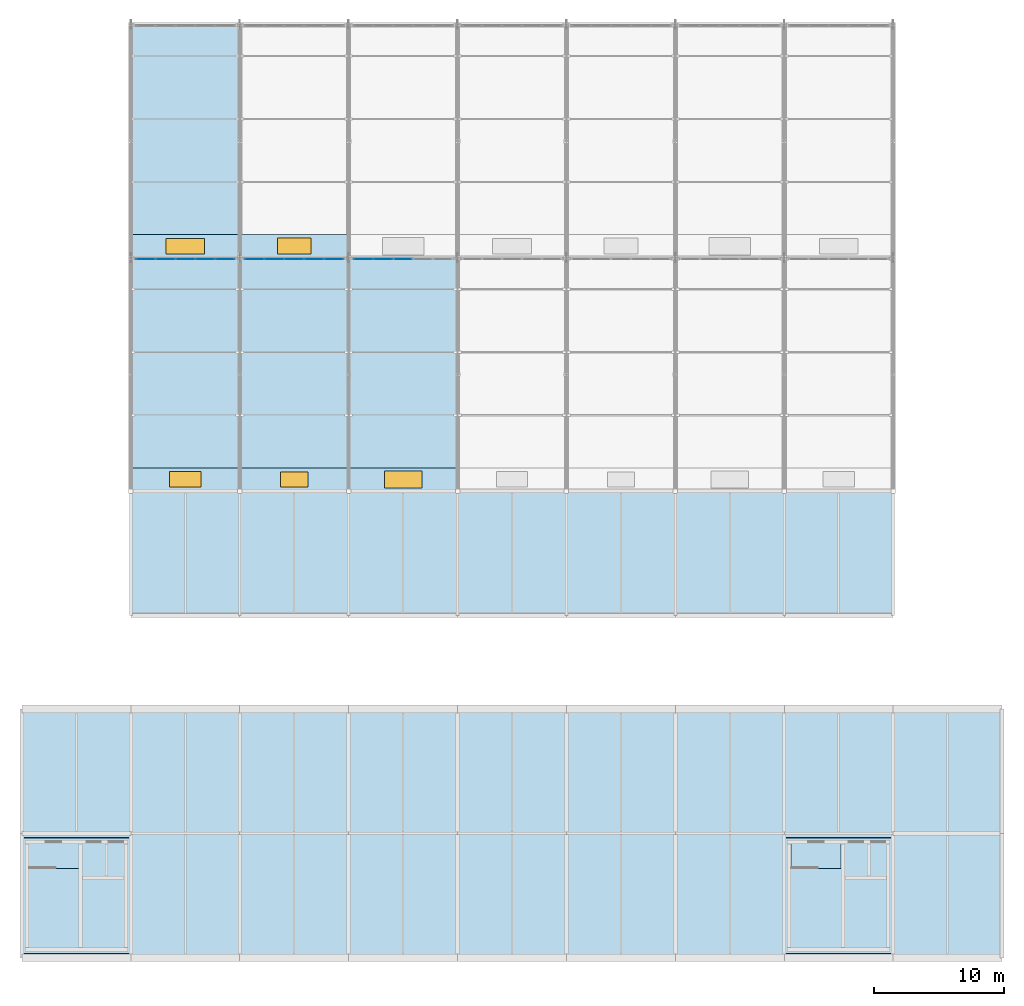
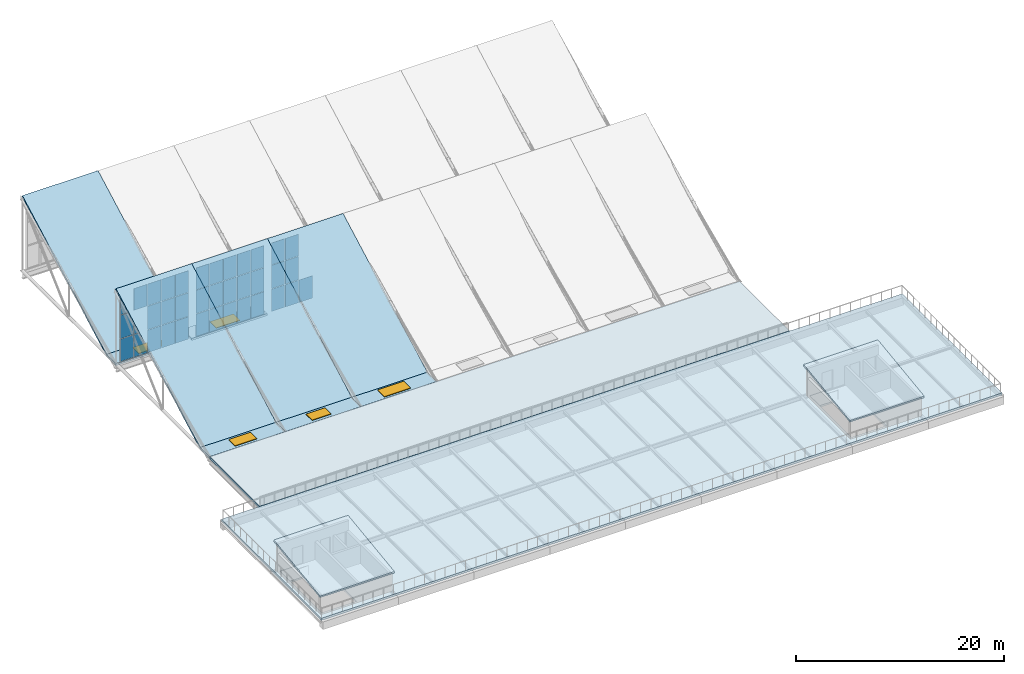
# One storey, part 29 of 38: 37 plates, 15 slabs, 5 windows, 5 openings, 3 elements without a shape of their own.
"""IFC4 building model written with IfcOpenShell, lengths in metres."""

from ifc_helpers import new_model, si_unit, direction, frame, origin, origin_2d, place, context, subcontext, project, spatial, polyline, rectangle, outline, extrude, material, layer, layer_set, type_object, element, fill, aggregate, save


model = new_model("IFC4")

# Units and contexts
model_context = context("Model", 3, precision=1e-05, world=origin(), true_north=direction((0.0, 1.0)))
body_context = subcontext(model_context, "Body", "Model", "MODEL_VIEW")
ifc_project = project(units=[si_unit("LENGTHUNIT", "METRE"), si_unit("AREAUNIT", "SQUARE_METRE"), si_unit("VOLUMEUNIT", "CUBIC_METRE"), si_unit("PLANEANGLEUNIT", "RADIAN"), si_unit("MASSUNIT", "GRAM", prefix="KILO")], contexts=[model_context])

# Site, building, storey
site_placement = place(None, origin())
site = spatial("IfcSite", under=ifc_project, at=site_placement, CompositionType="ELEMENT")
building_placement = place(site_placement, origin())
building = spatial("IfcBuilding", under=site, at=building_placement, Name="Veltarok Museum of Natural Sciences", CompositionType="ELEMENT")
storey_placement = place(building_placement, frame((0.0, 0.0, 31.199951171875)))
storey = spatial("IfcBuildingStorey", under=building, at=storey_placement, Name="RF", CompositionType="ELEMENT", Elevation=31.199951171875)

# Slab
ifc_material_1 = material(Name="Concrete C35/45", Category="concrete")
ifc_layer_1 = layer(ifc_material_1, 0.239990234375)
ifc_layer_set_1 = layer_set([ifc_layer_1], Name="Concrete C35/45")
slab_type_1 = type_object("IfcSlabType", Name="Insulated Flat Wing Roof Slab 240", PredefinedType="ROOF", material=ifc_layer_set_1)
slab_1_placement = place(storey_placement, frame((0.0, 0.0, -6.0400390625)))
element("IfcSlab", 1, at=slab_1_placement, inside=storey, type_object=slab_type_1, Name="Flat Wing Roof Slab RF-V2D", PredefinedType="ROOF", context=body_context, shape_type="SweptSolid", body=[
    extrude(outline(polyline([(40.0, 26.39990234375), (40.0, 35.97998046875), (98.800048828125, 35.97998046875), (98.800048828125, 26.39990234375), (40.0, 26.39990234375)])), origin(), (0.0, 0.0, 1.0), 0.239990234375),
])

# Slab, opening, window
slab_2_placement = place(storey_placement, frame((0.0, 0.0, -6.0400390625)))
slab_2 = element("IfcSlab", 2, at=slab_2_placement, inside=storey, type_object=slab_type_1, Name="Sawtooth Valley Apron Slab 5-6 M1", PredefinedType="ROOF", context=body_context, shape_type="SweptSolid", body=[
    extrude(outline(polyline([(40.0, 36.0), (48.39990234375, 36.0), (48.39990234375, 37.800048828125), (40.0, 37.800048828125), (40.0, 36.0)])), origin(), (0.0, 0.0, 1.0), 0.239990234375),
])
opening_1_placement = place(slab_2_placement, frame((44.199951171875, 36.89990234375, -0.010009765625)))
opening_1 = element("IfcOpeningElement", 3, at=opening_1_placement, cuts=slab_2, Name="Opening SK-01", PredefinedType="OPENING", context=body_context, shape_type="SweptSolid", body=[
    extrude(rectangle(XDim=2.39990234375, YDim=1.199951171875, at=origin_2d()), origin(), (0.0, 0.0, 1.0), 0.320068359375),
])
ifc_material_2 = material(Name="Low-iron triple insulated glass", Category="glass")
window_type_1 = type_object("IfcWindowType", Name="Sawtooth Valley North Rooflight 2400x1200", PartitioningType="SINGLE_PANEL", PredefinedType="SKYLIGHT", material=ifc_material_2)
window_1_placement = place(slab_2_placement, frame((44.199951171875, 36.89990234375, 0.239990234375)))
window_1 = element("IfcWindow", 4, at=window_1_placement, inside=storey, type_object=window_type_1, Name="Sawtooth North Rooflight SK-01", OverallHeight=1.199951171875, OverallWidth=2.39990234375, PartitioningType="SINGLE_PANEL", PredefinedType="SKYLIGHT", context=body_context, shape_type="SweptSolid", body=[
    extrude(rectangle(XDim=2.39990234375, YDim=1.199951171875, at=origin_2d()), origin(), (0.0, 0.0, 1.0), 0.06005859375),
])
fill(opening_1, window_1)

slab_3_placement = place(storey_placement, frame((0.0, 0.0, -6.0400390625)))
slab_3 = element("IfcSlab", 5, at=slab_3_placement, inside=storey, type_object=slab_type_1, Name="Sawtooth Valley Apron Slab 5-6 M2", PredefinedType="ROOF", context=body_context, shape_type="SweptSolid", body=[
    extrude(outline(polyline([(40.0, 54.0), (48.39990234375, 54.0), (48.39990234375, 55.800048828125), (40.0, 55.800048828125), (40.0, 54.0)])), origin(), (0.0, 0.0, 1.0), 0.239990234375),
])
opening_2_placement = place(slab_3_placement, frame((44.199951171875, 54.89990234375, -0.010009765625)))
opening_2 = element("IfcOpeningElement", 6, at=opening_2_placement, cuts=slab_3, Name="Opening SK-02", PredefinedType="OPENING", context=body_context, shape_type="SweptSolid", body=[
    extrude(rectangle(XDim=3.0, YDim=1.199951171875, at=origin_2d()), origin(), (0.0, 0.0, 1.0), 0.320068359375),
])
window_type_2 = type_object("IfcWindowType", Name="Sawtooth Atrium North Rooflight 3000x1200", PartitioningType="SINGLE_PANEL", PredefinedType="SKYLIGHT", material=ifc_material_2)
window_2_placement = place(slab_3_placement, frame((44.199951171875, 54.89990234375, 0.239990234375)))
window_2 = element("IfcWindow", 7, at=window_2_placement, inside=storey, type_object=window_type_2, Name="Sawtooth North Rooflight SK-02", OverallHeight=1.199951171875, OverallWidth=3.0, PartitioningType="SINGLE_PANEL", PredefinedType="SKYLIGHT", context=body_context, shape_type="SweptSolid", body=[
    extrude(rectangle(XDim=3.0, YDim=1.199951171875, at=origin_2d()), origin(), (0.0, 0.0, 1.0), 0.06005859375),
])
fill(opening_2, window_2)

slab_4_placement = place(storey_placement, frame((0.0, 0.0, -6.0400390625)))
slab_4 = element("IfcSlab", 8, at=slab_4_placement, inside=storey, type_object=slab_type_1, Name="Sawtooth Valley Apron Slab 6-7 M1", PredefinedType="ROOF", context=body_context, shape_type="SweptSolid", body=[
    extrude(outline(polyline([(48.39990234375, 36.0), (56.800048828125, 36.0), (56.800048828125, 37.800048828125), (48.39990234375, 37.800048828125), (48.39990234375, 36.0)])), origin(), (0.0, 0.0, 1.0), 0.239990234375),
])
opening_3_placement = place(slab_4_placement, frame((52.60009765625, 36.89990234375, -0.010009765625)))
opening_3 = element("IfcOpeningElement", 9, at=opening_3_placement, cuts=slab_4, Name="Opening SK-03", PredefinedType="OPENING", context=body_context, shape_type="SweptSolid", body=[
    extrude(rectangle(XDim=2.10009765625, YDim=1.14990234375, at=origin_2d()), origin(), (0.0, 0.0, 1.0), 0.320068359375),
])
window_type_3 = type_object("IfcWindowType", Name="Sawtooth Gallery Rooflight 2100x1150", PartitioningType="SINGLE_PANEL", PredefinedType="SKYLIGHT", material=ifc_material_2)
window_3_placement = place(slab_4_placement, frame((52.60009765625, 36.89990234375, 0.239990234375)))
window_3 = element("IfcWindow", 10, at=window_3_placement, inside=storey, type_object=window_type_3, Name="Sawtooth North Rooflight SK-03", OverallHeight=1.14990234375, OverallWidth=2.10009765625, PartitioningType="SINGLE_PANEL", PredefinedType="SKYLIGHT", context=body_context, shape_type="SweptSolid", body=[
    extrude(rectangle(XDim=2.10009765625, YDim=1.14990234375, at=origin_2d()), origin(), (0.0, 0.0, 1.0), 0.06005859375),
])
fill(opening_3, window_3)

slab_5_placement = place(storey_placement, frame((0.0, 0.0, -6.0400390625)))
slab_5 = element("IfcSlab", 11, at=slab_5_placement, inside=storey, type_object=slab_type_1, Name="Sawtooth Valley Apron Slab 6-7 M2", PredefinedType="ROOF", context=body_context, shape_type="SweptSolid", body=[
    extrude(outline(polyline([(48.39990234375, 54.0), (56.800048828125, 54.0), (56.800048828125, 55.800048828125), (48.39990234375, 55.800048828125), (48.39990234375, 54.0)])), origin(), (0.0, 0.0, 1.0), 0.239990234375),
])
opening_4_placement = place(slab_5_placement, frame((52.60009765625, 54.89990234375, -0.010009765625)))
opening_4 = element("IfcOpeningElement", 12, at=opening_4_placement, cuts=slab_5, Name="Opening SK-04", PredefinedType="OPENING", context=body_context, shape_type="SweptSolid", body=[
    extrude(rectangle(XDim=2.60009765625, YDim=1.25, at=origin_2d()), origin(), (0.0, 0.0, 1.0), 0.320068359375),
])
window_type_4 = type_object("IfcWindowType", Name="Sawtooth Gallery Rooflight 2600x1250", PartitioningType="SINGLE_PANEL", PredefinedType="SKYLIGHT", material=ifc_material_2)
window_4_placement = place(slab_5_placement, frame((52.60009765625, 54.89990234375, 0.239990234375)))
window_4 = element("IfcWindow", 13, at=window_4_placement, inside=storey, type_object=window_type_4, Name="Sawtooth North Rooflight SK-04", OverallHeight=1.25, OverallWidth=2.60009765625, PartitioningType="SINGLE_PANEL", PredefinedType="SKYLIGHT", context=body_context, shape_type="SweptSolid", body=[
    extrude(rectangle(XDim=2.60009765625, YDim=1.25, at=origin_2d()), origin(), (0.0, 0.0, 1.0), 0.06005859375),
])
fill(opening_4, window_4)

slab_6_placement = place(storey_placement, frame((0.0, 0.0, -6.0400390625)))
slab_6 = element("IfcSlab", 14, at=slab_6_placement, inside=storey, type_object=slab_type_1, Name="Sawtooth Valley Apron Slab 7-8 M1", PredefinedType="ROOF", context=body_context, shape_type="SweptSolid", body=[
    extrude(outline(polyline([(56.800048828125, 36.0), (65.199951171875, 36.0), (65.199951171875, 37.800048828125), (56.800048828125, 37.800048828125), (56.800048828125, 36.0)])), origin(), (0.0, 0.0, 1.0), 0.239990234375),
])
opening_5_placement = place(slab_6_placement, frame((61.0, 36.89990234375, -0.010009765625)))
opening_5 = element("IfcOpeningElement", 15, at=opening_5_placement, cuts=slab_6, Name="Opening SK-05", PredefinedType="OPENING", context=body_context, shape_type="SweptSolid", body=[
    extrude(rectangle(XDim=2.89990234375, YDim=1.300048828125, at=origin_2d()), origin(), (0.0, 0.0, 1.0), 0.320068359375),
])
window_type_5 = type_object("IfcWindowType", Name="Sawtooth Gallery Rooflight 2900x1300", PartitioningType="SINGLE_PANEL", PredefinedType="SKYLIGHT", material=ifc_material_2)
window_5_placement = place(slab_6_placement, frame((61.0, 36.89990234375, 0.239990234375)))
window_5 = element("IfcWindow", 16, at=window_5_placement, inside=storey, type_object=window_type_5, Name="Sawtooth North Rooflight SK-05", OverallHeight=1.300048828125, OverallWidth=2.89990234375, PartitioningType="SINGLE_PANEL", PredefinedType="SKYLIGHT", context=body_context, shape_type="SweptSolid", body=[
    extrude(rectangle(XDim=2.89990234375, YDim=1.300048828125, at=origin_2d()), origin(), (0.0, 0.0, 1.0), 0.06005859375),
])
fill(opening_5, window_5)

# Slab
ifc_layer_2 = layer(ifc_material_1, 0.260009765625)
ifc_layer_set_2 = layer_set([ifc_layer_2], Name="Concrete C35/45")
slab_type_2 = type_object("IfcSlabType", Name="Insulated Walkable Terrace Deck Slab 260", PredefinedType="FLOOR", material=ifc_layer_set_2)
slab_7_placement = place(storey_placement, frame((0.0, 0.0, -0.260009765625)))
element("IfcSlab", 17, at=slab_7_placement, inside=storey, type_object=slab_type_2, Name="South Cabinet Spine Flat Roof Terrace Slab", PredefinedType="FLOOR", context=body_context, shape_type="SweptSolid", body=[
    extrude(outline(polyline([(31.60009765625, 0.0), (31.60009765625, 19.199951171875), (107.175048828125, 19.199951171875), (107.175048828125, 0.0), (31.60009765625, 0.0)]), holes=[polyline([(32.1298828125, 0.800048828125), (35.969970703125, 0.800048828125), (35.969970703125, 8.800048828125), (32.1298828125, 8.800048828125), (32.1298828125, 0.800048828125)]), polyline([(90.929931640625, 8.800048828125), (90.929931640625, 0.800048828125), (94.77001953125, 0.800048828125), (94.77001953125, 8.800048828125), (90.929931640625, 8.800048828125)]), polyline([(36.27001953125, 8.800048828125), (36.27001953125, 6.300048828125), (37.989990234375, 6.300048828125), (37.989990234375, 8.800048828125), (36.27001953125, 8.800048828125)]), polyline([(38.239990234375, 6.300048828125), (39.469970703125, 6.300048828125), (39.469970703125, 8.800048828125), (38.239990234375, 8.800048828125), (38.239990234375, 6.300048828125)]), polyline([(95.070068359375, 8.800048828125), (95.070068359375, 6.300048828125), (96.7900390625, 6.300048828125), (96.7900390625, 8.800048828125), (95.070068359375, 8.800048828125)]), polyline([(97.0400390625, 8.800048828125), (97.0400390625, 6.300048828125), (98.27001953125, 6.300048828125), (98.27001953125, 8.800048828125), (97.0400390625, 8.800048828125)])]), origin(), (0.0, 0.0, 1.0), 0.260009765625),
])

# Curtain wall, plates
curtain_wall_type = type_object("IfcCurtainWallType", Name="Curtain Wall System CW-SAW-M1-768x817 (Sawtooth North Clerestory M1 768x817cm)", PredefinedType="NOTDEFINED", material=ifc_material_2)
curtain_wall_1_placement = place(storey_placement, origin())
curtain_wall_1 = element("IfcCurtainWall", 18, at=curtain_wall_1_placement, inside=storey, type_object=curtain_wall_type, Name="Curtain Wall CW-SAW-M1-768x817 CW-SAW-0072", PredefinedType="NOTDEFINED")
ifc_layer_3 = layer(ifc_material_2, 0.031982421875)
ifc_layer_set_3 = layer_set([ifc_layer_3], Name="Low-iron triple insulated glass")
plate_type = type_object("IfcPlateType", Name="North-Light Diffusing Triple Glazed Panel 32", PredefinedType="CURTAIN_PANEL", material=ifc_layer_set_3)
plate_1_placement = place(storey_placement, frame((47.257080078125, 53.919921875, -5.659912109375), z_axis=(0.0, 0.0, 1.0), x_axis=(-1.0, 0.0, 0.0)))
plate_1 = element("IfcPlate", 19, at=plate_1_placement, type_object=plate_type, Name="CW-SAW-M1-768x817 panel 1.1", PredefinedType="CURTAIN_PANEL", context=body_context, shape_type="SweptSolid", body=[
    extrude(rectangle(XDim=1.446044921875, YDim=0.031982421875, at=origin_2d()), origin(), (0.0, 0.0, 1.0), 2.6298828125),
])
plate_2_placement = place(storey_placement, frame((47.257080078125, 53.919921875, -2.9697265625), z_axis=(0.0, 0.0, 1.0), x_axis=(-1.0, 0.0, 0.0)))
plate_2 = element("IfcPlate", 20, at=plate_2_placement, type_object=plate_type, Name="CW-SAW-M1-768x817 panel 1.2", PredefinedType="CURTAIN_PANEL", context=body_context, shape_type="SweptSolid", body=[
    extrude(rectangle(XDim=1.446044921875, YDim=0.031982421875, at=origin_2d()), origin(), (0.0, 0.0, 1.0), 2.739990234375),
])
plate_3_placement = place(storey_placement, frame((47.257080078125, 53.919921875, -0.169921875), z_axis=(0.0, 0.0, 1.0), x_axis=(-1.0, 0.0, 0.0)))
plate_3 = element("IfcPlate", 21, at=plate_3_placement, type_object=plate_type, Name="CW-SAW-M1-768x817 panel 1.3", PredefinedType="CURTAIN_PANEL", context=body_context, shape_type="SweptSolid", body=[
    extrude(rectangle(XDim=1.446044921875, YDim=0.031982421875, at=origin_2d()), origin(), (0.0, 0.0, 1.0), 2.56005859375),
])
plate_4_placement = place(storey_placement, frame((45.736083984375, 53.919921875, -5.659912109375), z_axis=(0.0, 0.0, 1.0), x_axis=(-1.0, 0.0, 0.0)))
plate_4 = element("IfcPlate", 22, at=plate_4_placement, type_object=plate_type, Name="CW-SAW-M1-768x817 panel 2.1", PredefinedType="CURTAIN_PANEL", context=body_context, shape_type="SweptSolid", body=[
    extrude(rectangle(XDim=1.47607421875, YDim=0.031982421875, at=origin_2d()), origin(), (0.0, 0.0, 1.0), 2.6298828125),
])
plate_5_placement = place(storey_placement, frame((45.736083984375, 53.919921875, -2.9697265625), z_axis=(0.0, 0.0, 1.0), x_axis=(-1.0, 0.0, 0.0)))
plate_5 = element("IfcPlate", 23, at=plate_5_placement, type_object=plate_type, Name="CW-SAW-M1-768x817 panel 2.2", PredefinedType="CURTAIN_PANEL", context=body_context, shape_type="SweptSolid", body=[
    extrude(rectangle(XDim=1.47607421875, YDim=0.031982421875, at=origin_2d()), origin(), (0.0, 0.0, 1.0), 2.739990234375),
])
plate_6_placement = place(storey_placement, frame((45.736083984375, 53.919921875, -0.169921875), z_axis=(0.0, 0.0, 1.0), x_axis=(-1.0, 0.0, 0.0)))
plate_6 = element("IfcPlate", 24, at=plate_6_placement, type_object=plate_type, Name="CW-SAW-M1-768x817 panel 2.3", PredefinedType="CURTAIN_PANEL", context=body_context, shape_type="SweptSolid", body=[
    extrude(rectangle(XDim=1.47607421875, YDim=0.031982421875, at=origin_2d()), origin(), (0.0, 0.0, 1.0), 2.56005859375),
])
plate_7_placement = place(storey_placement, frame((44.199951171875, 53.919921875, -5.659912109375), z_axis=(0.0, 0.0, 1.0), x_axis=(-1.0, 0.0, 0.0)))
plate_7 = element("IfcPlate", 25, at=plate_7_placement, type_object=plate_type, Name="CW-SAW-M1-768x817 panel 3.1", PredefinedType="CURTAIN_PANEL", context=body_context, shape_type="SweptSolid", body=[
    extrude(rectangle(XDim=1.47607421875, YDim=0.031982421875, at=origin_2d()), origin(), (0.0, 0.0, 1.0), 2.6298828125),
])
plate_8_placement = place(storey_placement, frame((44.199951171875, 53.919921875, -2.9697265625), z_axis=(0.0, 0.0, 1.0), x_axis=(-1.0, 0.0, 0.0)))
plate_8 = element("IfcPlate", 26, at=plate_8_placement, type_object=plate_type, Name="CW-SAW-M1-768x817 panel 3.2", PredefinedType="CURTAIN_PANEL", context=body_context, shape_type="SweptSolid", body=[
    extrude(rectangle(XDim=1.47607421875, YDim=0.031982421875, at=origin_2d()), origin(), (0.0, 0.0, 1.0), 2.739990234375),
])
plate_9_placement = place(storey_placement, frame((44.199951171875, 53.919921875, -0.169921875), z_axis=(0.0, 0.0, 1.0), x_axis=(-1.0, 0.0, 0.0)))
plate_9 = element("IfcPlate", 27, at=plate_9_placement, type_object=plate_type, Name="CW-SAW-M1-768x817 panel 3.3", PredefinedType="CURTAIN_PANEL", context=body_context, shape_type="SweptSolid", body=[
    extrude(rectangle(XDim=1.47607421875, YDim=0.031982421875, at=origin_2d()), origin(), (0.0, 0.0, 1.0), 2.56005859375),
])
plate_10_placement = place(storey_placement, frame((42.6640625, 53.919921875, -5.659912109375), z_axis=(0.0, 0.0, 1.0), x_axis=(-1.0, 0.0, 0.0)))
plate_10 = element("IfcPlate", 28, at=plate_10_placement, type_object=plate_type, Name="CW-SAW-M1-768x817 panel 4.1", PredefinedType="CURTAIN_PANEL", context=body_context, shape_type="SweptSolid", body=[
    extrude(rectangle(XDim=1.47607421875, YDim=0.031982421875, at=origin_2d()), origin(), (0.0, 0.0, 1.0), 2.6298828125),
])
plate_11_placement = place(storey_placement, frame((42.6640625, 53.919921875, -2.9697265625), z_axis=(0.0, 0.0, 1.0), x_axis=(-1.0, 0.0, 0.0)))
plate_11 = element("IfcPlate", 29, at=plate_11_placement, type_object=plate_type, Name="CW-SAW-M1-768x817 panel 4.2", PredefinedType="CURTAIN_PANEL", context=body_context, shape_type="SweptSolid", body=[
    extrude(rectangle(XDim=1.47607421875, YDim=0.031982421875, at=origin_2d()), origin(), (0.0, 0.0, 1.0), 2.739990234375),
])
plate_12_placement = place(storey_placement, frame((42.6640625, 53.919921875, -0.169921875), z_axis=(0.0, 0.0, 1.0), x_axis=(-1.0, 0.0, 0.0)))
plate_12 = element("IfcPlate", 30, at=plate_12_placement, type_object=plate_type, Name="CW-SAW-M1-768x817 panel 4.3", PredefinedType="CURTAIN_PANEL", context=body_context, shape_type="SweptSolid", body=[
    extrude(rectangle(XDim=1.47607421875, YDim=0.031982421875, at=origin_2d()), origin(), (0.0, 0.0, 1.0), 2.56005859375),
])
plate_13_placement = place(storey_placement, frame((41.14306640625, 53.919921875, -5.659912109375), z_axis=(0.0, 0.0, 1.0), x_axis=(-1.0, 0.0, 0.0)))
plate_13 = element("IfcPlate", 31, at=plate_13_placement, type_object=plate_type, Name="CW-SAW-M1-768x817 panel 5.1", PredefinedType="CURTAIN_PANEL", context=body_context, shape_type="SweptSolid", body=[
    extrude(rectangle(XDim=1.446044921875, YDim=0.031982421875, at=origin_2d()), origin(), (0.0, 0.0, 1.0), 2.6298828125),
])
plate_14_placement = place(storey_placement, frame((41.14306640625, 53.919921875, -2.9697265625), z_axis=(0.0, 0.0, 1.0), x_axis=(-1.0, 0.0, 0.0)))
plate_14 = element("IfcPlate", 32, at=plate_14_placement, type_object=plate_type, Name="CW-SAW-M1-768x817 panel 5.2", PredefinedType="CURTAIN_PANEL", context=body_context, shape_type="SweptSolid", body=[
    extrude(rectangle(XDim=1.446044921875, YDim=0.031982421875, at=origin_2d()), origin(), (0.0, 0.0, 1.0), 2.739990234375),
])
plate_15_placement = place(storey_placement, frame((41.14306640625, 53.919921875, -0.169921875), z_axis=(0.0, 0.0, 1.0), x_axis=(-1.0, 0.0, 0.0)))
plate_15 = element("IfcPlate", 33, at=plate_15_placement, type_object=plate_type, Name="CW-SAW-M1-768x817 panel 5.3", PredefinedType="CURTAIN_PANEL", context=body_context, shape_type="SweptSolid", body=[
    extrude(rectangle(XDim=1.446044921875, YDim=0.031982421875, at=origin_2d()), origin(), (0.0, 0.0, 1.0), 2.56005859375),
])
aggregate(curtain_wall_1, [plate_1, plate_2, plate_3, plate_4, plate_5, plate_6, plate_7, plate_8, plate_9, plate_10, plate_11, plate_12, plate_13, plate_14, plate_15])

curtain_wall_2_placement = place(storey_placement, origin())
curtain_wall_2 = element("IfcCurtainWall", 34, at=curtain_wall_2_placement, inside=storey, type_object=curtain_wall_type, Name="Curtain Wall CW-SAW-M1-768x817 CW-SAW-0074", PredefinedType="NOTDEFINED")
plate_16_placement = place(storey_placement, frame((55.656982421875, 53.919921875, -5.659912109375), z_axis=(0.0, 0.0, 1.0), x_axis=(-1.0, 0.0, 0.0)))
plate_16 = element("IfcPlate", 35, at=plate_16_placement, type_object=plate_type, Name="CW-SAW-M1-768x817 panel 1.1", PredefinedType="CURTAIN_PANEL", context=body_context, shape_type="SweptSolid", body=[
    extrude(rectangle(XDim=1.446044921875, YDim=0.031982421875, at=origin_2d()), origin(), (0.0, 0.0, 1.0), 2.6298828125),
])
plate_17_placement = place(storey_placement, frame((55.656982421875, 53.919921875, -2.9697265625), z_axis=(0.0, 0.0, 1.0), x_axis=(-1.0, 0.0, 0.0)))
plate_17 = element("IfcPlate", 36, at=plate_17_placement, type_object=plate_type, Name="CW-SAW-M1-768x817 panel 1.2", PredefinedType="CURTAIN_PANEL", context=body_context, shape_type="SweptSolid", body=[
    extrude(rectangle(XDim=1.446044921875, YDim=0.031982421875, at=origin_2d()), origin(), (0.0, 0.0, 1.0), 2.739990234375),
])
plate_18_placement = place(storey_placement, frame((55.656982421875, 53.919921875, -0.169921875), z_axis=(0.0, 0.0, 1.0), x_axis=(-1.0, 0.0, 0.0)))
plate_18 = element("IfcPlate", 37, at=plate_18_placement, type_object=plate_type, Name="CW-SAW-M1-768x817 panel 1.3", PredefinedType="CURTAIN_PANEL", context=body_context, shape_type="SweptSolid", body=[
    extrude(rectangle(XDim=1.446044921875, YDim=0.031982421875, at=origin_2d()), origin(), (0.0, 0.0, 1.0), 2.56005859375),
])
plate_19_placement = place(storey_placement, frame((54.135986328125, 53.919921875, -5.659912109375), z_axis=(0.0, 0.0, 1.0), x_axis=(-1.0, 0.0, 0.0)))
plate_19 = element("IfcPlate", 38, at=plate_19_placement, type_object=plate_type, Name="CW-SAW-M1-768x817 panel 2.1", PredefinedType="CURTAIN_PANEL", context=body_context, shape_type="SweptSolid", body=[
    extrude(rectangle(XDim=1.47607421875, YDim=0.031982421875, at=origin_2d()), origin(), (0.0, 0.0, 1.0), 2.6298828125),
])
plate_20_placement = place(storey_placement, frame((54.135986328125, 53.919921875, -2.9697265625), z_axis=(0.0, 0.0, 1.0), x_axis=(-1.0, 0.0, 0.0)))
plate_20 = element("IfcPlate", 39, at=plate_20_placement, type_object=plate_type, Name="CW-SAW-M1-768x817 panel 2.2", PredefinedType="CURTAIN_PANEL", context=body_context, shape_type="SweptSolid", body=[
    extrude(rectangle(XDim=1.47607421875, YDim=0.031982421875, at=origin_2d()), origin(), (0.0, 0.0, 1.0), 2.739990234375),
])
plate_21_placement = place(storey_placement, frame((54.135986328125, 53.919921875, -0.169921875), z_axis=(0.0, 0.0, 1.0), x_axis=(-1.0, 0.0, 0.0)))
plate_21 = element("IfcPlate", 40, at=plate_21_placement, type_object=plate_type, Name="CW-SAW-M1-768x817 panel 2.3", PredefinedType="CURTAIN_PANEL", context=body_context, shape_type="SweptSolid", body=[
    extrude(rectangle(XDim=1.47607421875, YDim=0.031982421875, at=origin_2d()), origin(), (0.0, 0.0, 1.0), 2.56005859375),
])
plate_22_placement = place(storey_placement, frame((52.60009765625, 53.919921875, -5.659912109375), z_axis=(0.0, 0.0, 1.0), x_axis=(-1.0, 0.0, 0.0)))
plate_22 = element("IfcPlate", 41, at=plate_22_placement, type_object=plate_type, Name="CW-SAW-M1-768x817 panel 3.1", PredefinedType="CURTAIN_PANEL", context=body_context, shape_type="SweptSolid", body=[
    extrude(rectangle(XDim=1.47607421875, YDim=0.031982421875, at=origin_2d()), origin(), (0.0, 0.0, 1.0), 2.6298828125),
])
plate_23_placement = place(storey_placement, frame((52.60009765625, 53.919921875, -2.9697265625), z_axis=(0.0, 0.0, 1.0), x_axis=(-1.0, 0.0, 0.0)))
plate_23 = element("IfcPlate", 42, at=plate_23_placement, type_object=plate_type, Name="CW-SAW-M1-768x817 panel 3.2", PredefinedType="CURTAIN_PANEL", context=body_context, shape_type="SweptSolid", body=[
    extrude(rectangle(XDim=1.47607421875, YDim=0.031982421875, at=origin_2d()), origin(), (0.0, 0.0, 1.0), 2.739990234375),
])
plate_24_placement = place(storey_placement, frame((52.60009765625, 53.919921875, -0.169921875), z_axis=(0.0, 0.0, 1.0), x_axis=(-1.0, 0.0, 0.0)))
plate_24 = element("IfcPlate", 43, at=plate_24_placement, type_object=plate_type, Name="CW-SAW-M1-768x817 panel 3.3", PredefinedType="CURTAIN_PANEL", context=body_context, shape_type="SweptSolid", body=[
    extrude(rectangle(XDim=1.47607421875, YDim=0.031982421875, at=origin_2d()), origin(), (0.0, 0.0, 1.0), 2.56005859375),
])
plate_25_placement = place(storey_placement, frame((51.06396484375, 53.919921875, -5.659912109375), z_axis=(0.0, 0.0, 1.0), x_axis=(-1.0, 0.0, 0.0)))
plate_25 = element("IfcPlate", 44, at=plate_25_placement, type_object=plate_type, Name="CW-SAW-M1-768x817 panel 4.1", PredefinedType="CURTAIN_PANEL", context=body_context, shape_type="SweptSolid", body=[
    extrude(rectangle(XDim=1.47607421875, YDim=0.031982421875, at=origin_2d()), origin(), (0.0, 0.0, 1.0), 2.6298828125),
])
plate_26_placement = place(storey_placement, frame((51.06396484375, 53.919921875, -2.9697265625), z_axis=(0.0, 0.0, 1.0), x_axis=(-1.0, 0.0, 0.0)))
plate_26 = element("IfcPlate", 45, at=plate_26_placement, type_object=plate_type, Name="CW-SAW-M1-768x817 panel 4.2", PredefinedType="CURTAIN_PANEL", context=body_context, shape_type="SweptSolid", body=[
    extrude(rectangle(XDim=1.47607421875, YDim=0.031982421875, at=origin_2d()), origin(), (0.0, 0.0, 1.0), 2.739990234375),
])
plate_27_placement = place(storey_placement, frame((51.06396484375, 53.919921875, -0.169921875), z_axis=(0.0, 0.0, 1.0), x_axis=(-1.0, 0.0, 0.0)))
plate_27 = element("IfcPlate", 46, at=plate_27_placement, type_object=plate_type, Name="CW-SAW-M1-768x817 panel 4.3", PredefinedType="CURTAIN_PANEL", context=body_context, shape_type="SweptSolid", body=[
    extrude(rectangle(XDim=1.47607421875, YDim=0.031982421875, at=origin_2d()), origin(), (0.0, 0.0, 1.0), 2.56005859375),
])
plate_28_placement = place(storey_placement, frame((49.54296875, 53.919921875, -5.659912109375), z_axis=(0.0, 0.0, 1.0), x_axis=(-1.0, 0.0, 0.0)))
plate_28 = element("IfcPlate", 47, at=plate_28_placement, type_object=plate_type, Name="CW-SAW-M1-768x817 panel 5.1", PredefinedType="CURTAIN_PANEL", context=body_context, shape_type="SweptSolid", body=[
    extrude(rectangle(XDim=1.446044921875, YDim=0.031982421875, at=origin_2d()), origin(), (0.0, 0.0, 1.0), 2.6298828125),
])
plate_29_placement = place(storey_placement, frame((49.54296875, 53.919921875, -2.9697265625), z_axis=(0.0, 0.0, 1.0), x_axis=(-1.0, 0.0, 0.0)))
plate_29 = element("IfcPlate", 48, at=plate_29_placement, type_object=plate_type, Name="CW-SAW-M1-768x817 panel 5.2", PredefinedType="CURTAIN_PANEL", context=body_context, shape_type="SweptSolid", body=[
    extrude(rectangle(XDim=1.446044921875, YDim=0.031982421875, at=origin_2d()), origin(), (0.0, 0.0, 1.0), 2.739990234375),
])
plate_30_placement = place(storey_placement, frame((49.54296875, 53.919921875, -0.169921875), z_axis=(0.0, 0.0, 1.0), x_axis=(-1.0, 0.0, 0.0)))
plate_30 = element("IfcPlate", 49, at=plate_30_placement, type_object=plate_type, Name="CW-SAW-M1-768x817 panel 5.3", PredefinedType="CURTAIN_PANEL", context=body_context, shape_type="SweptSolid", body=[
    extrude(rectangle(XDim=1.446044921875, YDim=0.031982421875, at=origin_2d()), origin(), (0.0, 0.0, 1.0), 2.56005859375),
])
aggregate(curtain_wall_2, [plate_16, plate_17, plate_18, plate_19, plate_20, plate_21, plate_22, plate_23, plate_24, plate_25, plate_26, plate_27, plate_28, plate_29, plate_30])

curtain_wall_3_placement = place(storey_placement, origin())
curtain_wall_3 = element("IfcCurtainWall", 50, at=curtain_wall_3_placement, inside=storey, type_object=curtain_wall_type, Name="Curtain Wall CW-SAW-M1-768x817 CW-SAW-0076", PredefinedType="NOTDEFINED")
plate_31_placement = place(storey_placement, frame((61.0, 53.919921875, -5.659912109375), z_axis=(0.0, 0.0, 1.0), x_axis=(-1.0, 0.0, 0.0)))
plate_31 = element("IfcPlate", 51, at=plate_31_placement, type_object=plate_type, Name="CW-SAW-M1-768x817 panel 3.1", PredefinedType="CURTAIN_PANEL", context=body_context, shape_type="SweptSolid", body=[
    extrude(rectangle(XDim=1.47607421875, YDim=0.031982421875, at=origin_2d()), origin(), (0.0, 0.0, 1.0), 2.6298828125),
])
plate_32_placement = place(storey_placement, frame((59.464111328125, 53.919921875, -5.659912109375), z_axis=(0.0, 0.0, 1.0), x_axis=(-1.0, 0.0, 0.0)))
plate_32 = element("IfcPlate", 52, at=plate_32_placement, type_object=plate_type, Name="CW-SAW-M1-768x817 panel 4.1", PredefinedType="CURTAIN_PANEL", context=body_context, shape_type="SweptSolid", body=[
    extrude(rectangle(XDim=1.47607421875, YDim=0.031982421875, at=origin_2d()), origin(), (0.0, 0.0, 1.0), 2.6298828125),
])
plate_33_placement = place(storey_placement, frame((59.464111328125, 53.919921875, -2.9697265625), z_axis=(0.0, 0.0, 1.0), x_axis=(-1.0, 0.0, 0.0)))
plate_33 = element("IfcPlate", 53, at=plate_33_placement, type_object=plate_type, Name="CW-SAW-M1-768x817 panel 4.2", PredefinedType="CURTAIN_PANEL", context=body_context, shape_type="SweptSolid", body=[
    extrude(rectangle(XDim=1.47607421875, YDim=0.031982421875, at=origin_2d()), origin(), (0.0, 0.0, 1.0), 2.739990234375),
])
plate_34_placement = place(storey_placement, frame((59.464111328125, 53.919921875, -0.169921875), z_axis=(0.0, 0.0, 1.0), x_axis=(-1.0, 0.0, 0.0)))
plate_34 = element("IfcPlate", 54, at=plate_34_placement, type_object=plate_type, Name="CW-SAW-M1-768x817 panel 4.3", PredefinedType="CURTAIN_PANEL", context=body_context, shape_type="SweptSolid", body=[
    extrude(rectangle(XDim=1.47607421875, YDim=0.031982421875, at=origin_2d()), origin(), (0.0, 0.0, 1.0), 2.56005859375),
])
plate_35_placement = place(storey_placement, frame((57.943115234375, 53.919921875, -5.659912109375), z_axis=(0.0, 0.0, 1.0), x_axis=(-1.0, 0.0, 0.0)))
plate_35 = element("IfcPlate", 55, at=plate_35_placement, type_object=plate_type, Name="CW-SAW-M1-768x817 panel 5.1", PredefinedType="CURTAIN_PANEL", context=body_context, shape_type="SweptSolid", body=[
    extrude(rectangle(XDim=1.446044921875, YDim=0.031982421875, at=origin_2d()), origin(), (0.0, 0.0, 1.0), 2.6298828125),
])
plate_36_placement = place(storey_placement, frame((57.943115234375, 53.919921875, -2.9697265625), z_axis=(0.0, 0.0, 1.0), x_axis=(-1.0, 0.0, 0.0)))
plate_36 = element("IfcPlate", 56, at=plate_36_placement, type_object=plate_type, Name="CW-SAW-M1-768x817 panel 5.2", PredefinedType="CURTAIN_PANEL", context=body_context, shape_type="SweptSolid", body=[
    extrude(rectangle(XDim=1.446044921875, YDim=0.031982421875, at=origin_2d()), origin(), (0.0, 0.0, 1.0), 2.739990234375),
])
plate_37_placement = place(storey_placement, frame((57.943115234375, 53.919921875, -0.169921875), z_axis=(0.0, 0.0, 1.0), x_axis=(-1.0, 0.0, 0.0)))
plate_37 = element("IfcPlate", 57, at=plate_37_placement, type_object=plate_type, Name="CW-SAW-M1-768x817 panel 5.3", PredefinedType="CURTAIN_PANEL", context=body_context, shape_type="SweptSolid", body=[
    extrude(rectangle(XDim=1.446044921875, YDim=0.031982421875, at=origin_2d()), origin(), (0.0, 0.0, 1.0), 2.56005859375),
])
aggregate(curtain_wall_3, [plate_31, plate_32, plate_33, plate_34, plate_35, plate_36, plate_37])

# Slabs
ifc_layer_4 = layer(ifc_material_1, 0.199951171875)
ifc_layer_set_4 = layer_set([ifc_layer_4], Name="Concrete C35/45")
slab_type_3 = type_object("IfcSlabType", Name="Protected Stair Intermediate Landing Slab 200", PredefinedType="LANDING", material=ifc_layer_set_4)
slab_8_placement = place(storey_placement, frame((0.0, 0.0, -0.199951171875)))
element("IfcSlab", 58, at=slab_8_placement, inside=storey, type_object=slab_type_3, Name="Top Stairwell Landing ST-01 RF", PredefinedType="LANDING", context=body_context, shape_type="SweptSolid", body=[
    extrude(outline(polyline([(32.110107421875, 6.89990234375), (35.989990234375, 6.89990234375), (35.989990234375, 8.820068359375), (32.110107421875, 8.820068359375), (32.110107421875, 6.89990234375)])), origin(), (0.0, 0.0, 1.0), 0.199951171875),
])
slab_9_placement = place(storey_placement, frame((0.0, 0.0, -0.199951171875)))
element("IfcSlab", 59, at=slab_9_placement, inside=storey, type_object=slab_type_3, Name="Top Stairwell Landing ST-02 RF", PredefinedType="LANDING", context=body_context, shape_type="SweptSolid", body=[
    extrude(outline(polyline([(90.909912109375, 6.89990234375), (94.7900390625, 6.89990234375), (94.7900390625, 8.820068359375), (90.909912109375, 8.820068359375), (90.909912109375, 6.89990234375)])), origin(), (0.0, 0.0, 1.0), 0.199951171875),
])
ifc_material_3 = material(Name="Precast concrete C40/50", Category="concrete")
ifc_layer_5 = layer(ifc_material_3, 0.219970703125)
ifc_layer_set_5 = layer_set([ifc_layer_5], Name="Precast concrete C40/50")
slab_type_4 = type_object("IfcSlabType", Name="Sawtooth North-Light Sloped Roof Deck 220", PredefinedType="ROOF", material=ifc_layer_set_5)
for number, where, z_axis, x_axis, name in (
    (60, (40.0, 37.800048828125, -5.800048828125), (0.0, -0.477334405559, 0.878721722316), (1.0, 0.0, 0.0), "Sawtooth Sloped Roof Slab 5-6 M1"),
    (61, (40.0, 55.800048828125, -5.800048828125), (0.0, -0.477334405559, 0.878721722316), (1.0, 0.0, 0.0), "Sawtooth Sloped Roof Slab 5-6 M2"),
):
    element("IfcSlab", number, at=place(storey_placement, frame(where, z_axis=z_axis, x_axis=x_axis)), inside=storey, type_object=slab_type_4, Name=name, PredefinedType="ROOF", context=body_context, shape_type="SweptSolid", body=[
        extrude(outline(polyline([(0.0, 0.0), (8.39990234375, 0.0), (8.39990234375, 18.435815071444992), (0.0, 18.435815071444992), (0.0, 0.0)])), origin(), (0.0, 0.0, -1.0), 0.219970703125),
    ])
slab_10_placement = place(storey_placement, frame((48.39990234375, 37.800048828125, -5.800048828125), z_axis=(0.0, -0.477334405559, 0.878721722316), x_axis=(1.0, 0.0, 0.0)))
element("IfcSlab", 62, at=slab_10_placement, inside=storey, type_object=slab_type_4, Name="Sawtooth Sloped Roof Slab 6-7 M1", PredefinedType="ROOF", context=body_context, shape_type="SweptSolid", body=[
    extrude(outline(polyline([(0.0, 0.0), (8.400146484375, 0.0), (8.400146484375, 18.435815071444992), (0.0, 18.435815071444992), (0.0, 0.0)])), origin(), (0.0, 0.0, -1.0), 0.219970703125),
])
slab_11_placement = place(storey_placement, frame((56.800048828125, 37.800048828125, -5.800048828125), z_axis=(0.0, -0.477334405559, 0.878721722316), x_axis=(1.0, 0.0, 0.0)))
element("IfcSlab", 63, at=slab_11_placement, inside=storey, type_object=slab_type_4, Name="Sawtooth Sloped Roof Slab 7-8 M1", PredefinedType="ROOF", context=body_context, shape_type="SweptSolid", body=[
    extrude(outline(polyline([(0.0, 0.0), (8.39990234375, 0.0), (8.39990234375, 18.435815071444992), (0.0, 18.435815071444992), (0.0, 0.0)])), origin(), (0.0, 0.0, -1.0), 0.219970703125),
])
for number, where, z_axis, x_axis, name in (
    (64, (31.679931640625, 0.35009765625, 2.3701171875), (0.0, -0.133618436032, 0.991032851904), (1.0, 0.0, 0.0), "Headhouse Sloped Roof Slab C1"),
    (65, (90.47998046875, 0.35009765625, 2.3701171875), (0.0, -0.133618436032, 0.991032851904), (1.0, 0.0, 0.0), "Headhouse Sloped Roof Slab C2"),
):
    element("IfcSlab", number, at=place(storey_placement, frame(where, z_axis=z_axis, x_axis=x_axis)), inside=storey, type_object=slab_type_4, Name=name, PredefinedType="ROOF", context=body_context, shape_type="SweptSolid", body=[
        extrude(outline(polyline([(0.0, 0.0), (8.239990234375, 0.0), (8.239990234375, 8.980431200291605), (0.0, 8.980431200291605), (0.0, 0.0)])), origin(), (0.0, 0.0, -1.0), 0.219970703125),
    ])

save(model, "model.ifc")
